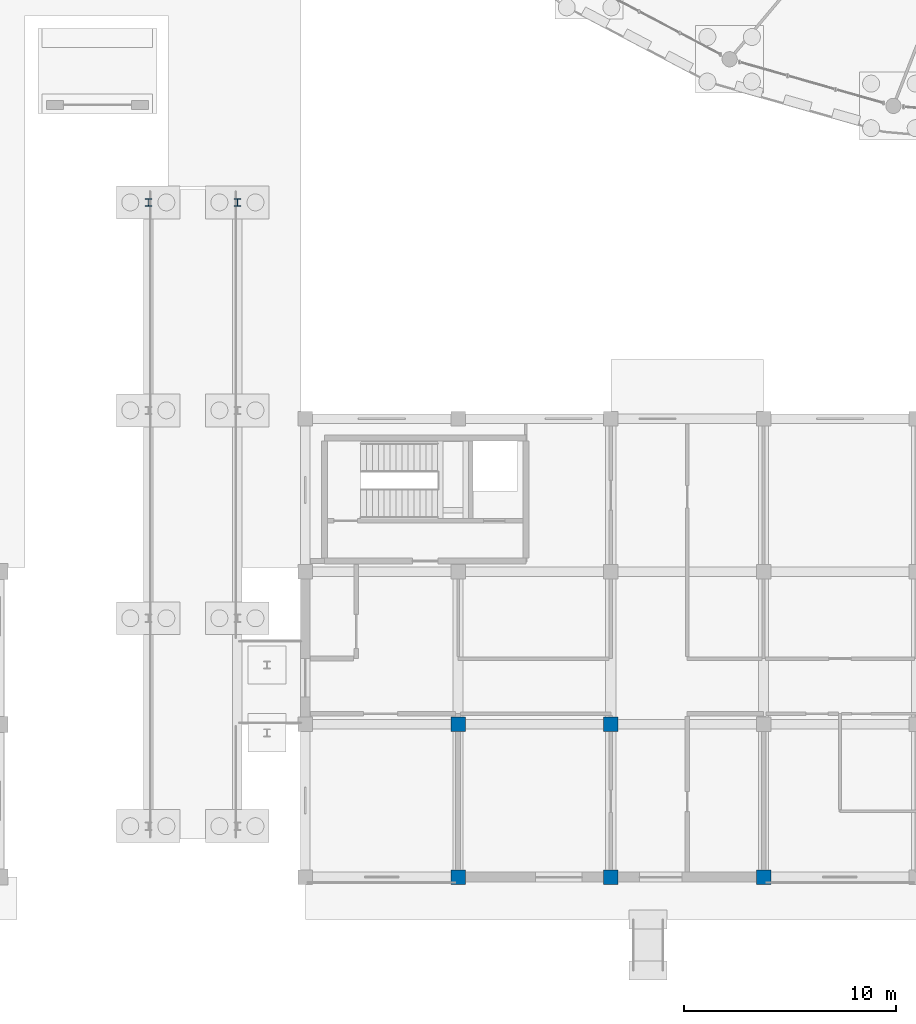
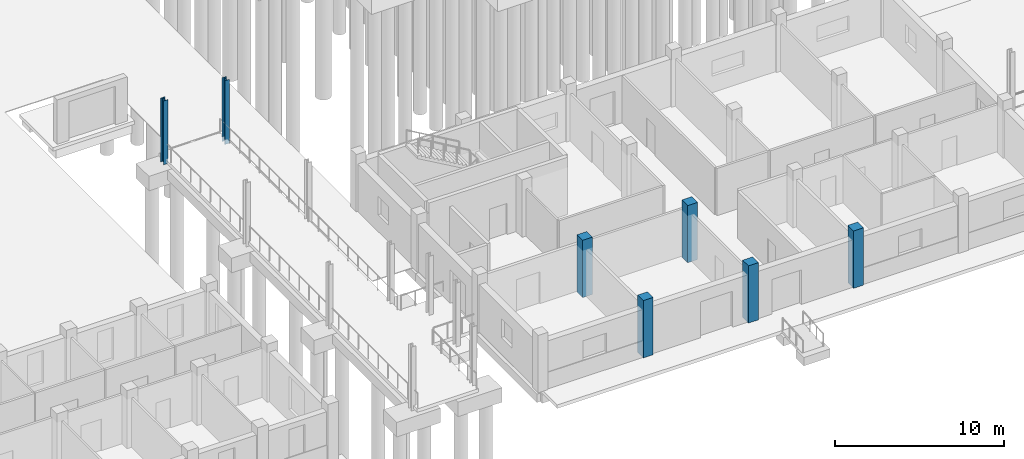
# One storey, part 8 of 98: 7 columns.
"""IFC4 building model written with IfcOpenShell, lengths in metres."""

from ifc_helpers import new_model, si_unit, direction, frame, origin, origin_2d, place, context, subcontext, project, spatial, rectangle, i_section, extrude, material, material_profile, profile_set, type_object, element, save


model = new_model("IFC4")

# Units and contexts
model_context = context("Model", 3, precision=1e-05, world=origin(), true_north=direction((0.0, 1.0)))
body_context = subcontext(model_context, "Body", "Model", "MODEL_VIEW")
ifc_project = project(units=[si_unit("LENGTHUNIT", "METRE"), si_unit("AREAUNIT", "SQUARE_METRE"), si_unit("VOLUMEUNIT", "CUBIC_METRE"), si_unit("PLANEANGLEUNIT", "RADIAN"), si_unit("MASSUNIT", "GRAM", prefix="KILO")], contexts=[model_context])

# Site, building, storey
site_placement = place(None, origin())
site = spatial("IfcSite", under=ifc_project, at=site_placement, CompositionType="ELEMENT")
building_placement = place(site_placement, origin())
building = spatial("IfcBuilding", under=site, at=building_placement, Name="Zornivar Specialist Clinic", CompositionType="ELEMENT")
storey_placement = place(building_placement, origin())
storey = spatial("IfcBuildingStorey", under=building, at=storey_placement, Name="L00", CompositionType="ELEMENT", Elevation=0.0)

# Columns
ifc_material_1 = material(Name="Concrete C35/45", Category="concrete")
ifc_material_profile_1 = material_profile(ifc_material_1, rectangle(XDim=0.679931640625, YDim=0.679931640625, at=origin_2d()), Name="RC 680x680")
ifc_profile_set_1 = profile_set([ifc_material_profile_1], Name="Concrete C35/45")
column_type_1 = type_object("IfcColumnType", Name="COL-RC-680", PredefinedType="COLUMN", material=ifc_profile_set_1)
for number, where, z_axis, x_axis, name in (
    (1, (64.800048828125, 0.0, 0.0), (0.0, 0.0, 1.0), (1.0, 0.0, 0.0), "col:V3:L00:648_0"),
    (2, (64.800048828125, 7.199951171875, 0.0), (0.0, 0.0, 1.0), (1.0, 0.0, 0.0), "col:V3:L00:648_72"),
    (3, (72.0, 0.0, 0.0), (0.0, 0.0, 1.0), (1.0, 0.0, 0.0), "col:V3:L00:720_0"),
    (4, (72.0, 7.199951171875, 0.0), (0.0, 0.0, 1.0), (1.0, 0.0, 0.0), "col:V3:L00:720_72"),
    (5, (79.199951171875, 0.0, 0.0), (0.0, 0.0, 1.0), (1.0, 0.0, 0.0), "col:V3:L00:792_0"),
):
    element("IfcColumn", number, at=place(storey_placement, frame(where, z_axis=z_axis, x_axis=x_axis)), inside=storey, type_object=column_type_1, Name=name, PredefinedType="COLUMN", context=body_context, shape_type="SweptSolid", body=[
        extrude(rectangle(XDim=0.679931640625, YDim=0.679931640625, at=origin_2d()), origin(), (0.0, 0.0, 1.0), 4.14990234375),
    ])
ifc_material_2 = material(Name="Steel S355J2", Category="steel")
ifc_material_profile_2 = material_profile(ifc_material_2, i_section(OverallWidth=0.300048828125, OverallDepth=0.360107421875, WebThickness=0.012451171875, FlangeThickness=0.0224609375, FilletRadius=0.027099609375, at=origin_2d()), Name="HEB 360")
ifc_profile_set_2 = profile_set([ifc_material_profile_2], Name="Steel S355J2")
column_type_2 = type_object("IfcColumnType", Name="COL-STL-HEB360", PredefinedType="COLUMN", material=ifc_profile_set_2)
for number, where, z_axis, x_axis, name in (
    (6, (50.199951171875, 31.800048828125, -0.35009765625), (0.0, 0.0, 1.0), (1.0, 0.0, 0.0), "col:BR1:L00:502_318"),
    (7, (54.39990234375, 31.800048828125, -0.35009765625), (0.0, 0.0, 1.0), (1.0, 0.0, 0.0), "col:BR1:L00:544_318"),
):
    element("IfcColumn", number, at=place(storey_placement, frame(where, z_axis=z_axis, x_axis=x_axis)), inside=storey, type_object=column_type_2, Name=name, PredefinedType="COLUMN", context=body_context, shape_type="SweptSolid", body=[
        extrude(i_section(OverallWidth=0.300048828125, OverallDepth=0.360107421875, WebThickness=0.012451171875, FlangeThickness=0.0224609375, FilletRadius=0.027099609375, at=origin_2d()), origin(), (0.0, 0.0, 1.0), 4.6201171875),
    ])

save(model, "model.ifc")
